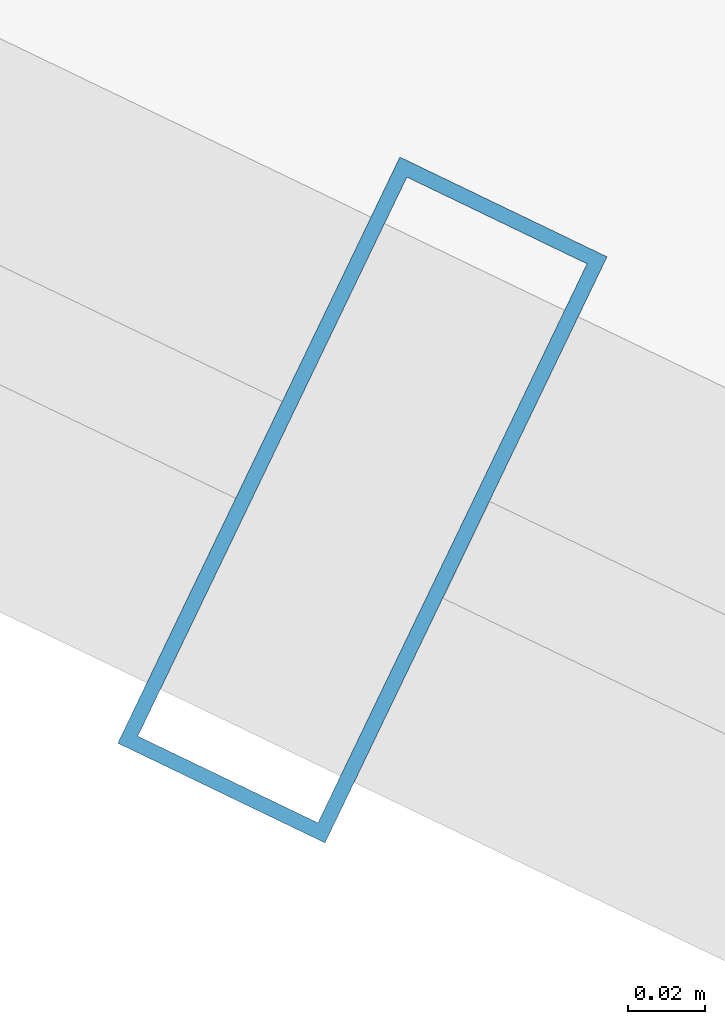
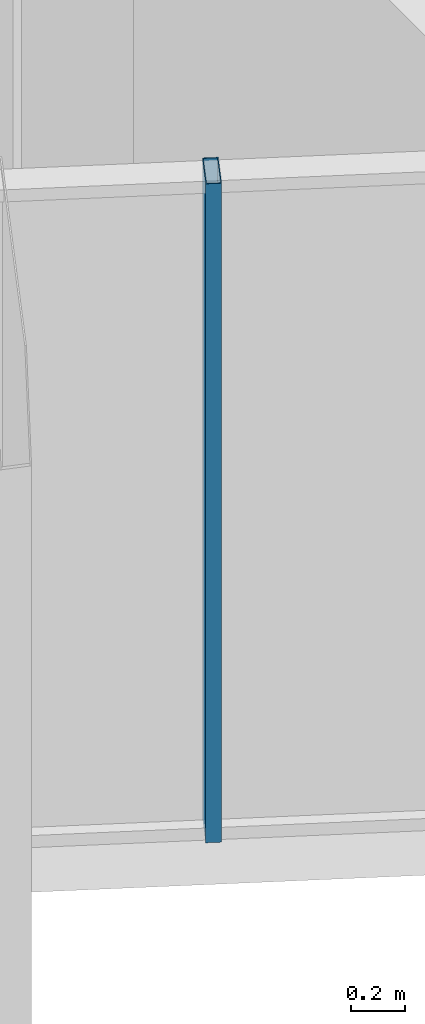
# One storey, part 4 of 35: 1 member, 1 element without a shape of its own.
"""IFC4 building model written with IfcOpenShell, lengths in metres."""

from ifc_helpers import new_model, si_unit, direction, frame, origin, origin_2d, place, context, subcontext, project, spatial, hollow_rectangle, extrude, source, transform, mapped, material, layer, layer_set, material_profile, profile_set, type_object, element, aggregate, save


model = new_model("IFC4")

# Units and contexts
model_context = context("Model", 3, precision=1e-05, world=origin(), true_north=direction((0.0, 1.0)))
body_context = subcontext(model_context, "Body", "Model", "MODEL_VIEW")
ifc_project = project(units=[si_unit("LENGTHUNIT", "METRE"), si_unit("AREAUNIT", "SQUARE_METRE"), si_unit("VOLUMEUNIT", "CUBIC_METRE"), si_unit("PLANEANGLEUNIT", "RADIAN"), si_unit("MASSUNIT", "GRAM", prefix="KILO")], contexts=[model_context])

# Site, building, storey
site_placement = place(None, origin())
site = spatial("IfcSite", under=ifc_project, at=site_placement, CompositionType="ELEMENT")
building_placement = place(site_placement, origin())
building = spatial("IfcBuilding", under=site, at=building_placement, Name="Veraguas Prism Commons", CompositionType="ELEMENT")
storey_placement = place(building_placement, frame((0.0, 0.0, 142.5)))
storey = spatial("IfcBuildingStorey", under=building, at=storey_placement, Name="L40", CompositionType="ELEMENT", Elevation=142.5)

# Curtain wall, member
ifc_material = material(Name="Anodised aluminium EN AW-6063 T6", Category="aluminium")
ifc_layer = layer(ifc_material, 0.169921875, Name="Unitised Flush Curtain Wall Zone 2", Category="aluminium")
ifc_layer_set = layer_set([ifc_layer], Name="Anodised aluminium EN AW-6063 T6")
curtain_wall_type = type_object("IfcCurtainWallType", Name="Unitised Flush Curtain Wall Zone 2", PredefinedType="NOTDEFINED", material=ifc_layer_set)
curtain_wall_placement = place(storey_placement, origin())
curtain_wall = element("IfcCurtainWall", 1, at=curtain_wall_placement, inside=storey, type_object=curtain_wall_type, Name="Tower Facade Curtain Wall L40-F4", PredefinedType="NOTDEFINED")
ifc_material_profile = material_profile(ifc_material, hollow_rectangle(XDim=0.06005859375, YDim=0.169921875, WallThickness=0.00390625, at=origin_2d()), Name="AL60X170X4")
ifc_profile_set = profile_set([ifc_material_profile], Name="Anodised aluminium EN AW-6063 T6")
member_type = type_object("IfcMemberType", Name="Curtain Wall Mullion Lower AL 60x170x4", PredefinedType="MULLION", material=ifc_profile_set)
shared_shape = source(origin(), body_context, "Body", "SweptSolid", [
    extrude(hollow_rectangle(XDim=0.06005859375, YDim=0.169921875, WallThickness=0.00390625, at=origin_2d()), origin(), (0.0, 0.0, 1.0), 3.0),
])
member_placement = place(storey_placement, frame((19.563720703125, 4.8466796875, 0.0), z_axis=(0.0, 0.0, 1.0), x_axis=(0.901075507561, -0.433662229937, 0.0)))
member = element("IfcMember", 2, at=member_placement, type_object=member_type, Name="CW-Z2 Mullion 4", PredefinedType="MULLION", context=body_context, shape_type="MappedRepresentation", body=[
    mapped(shared_shape, transform((0.0, 0.0, 0.0), scale=1.0)),
])
aggregate(curtain_wall, [member])

save(model, "model.ifc")
